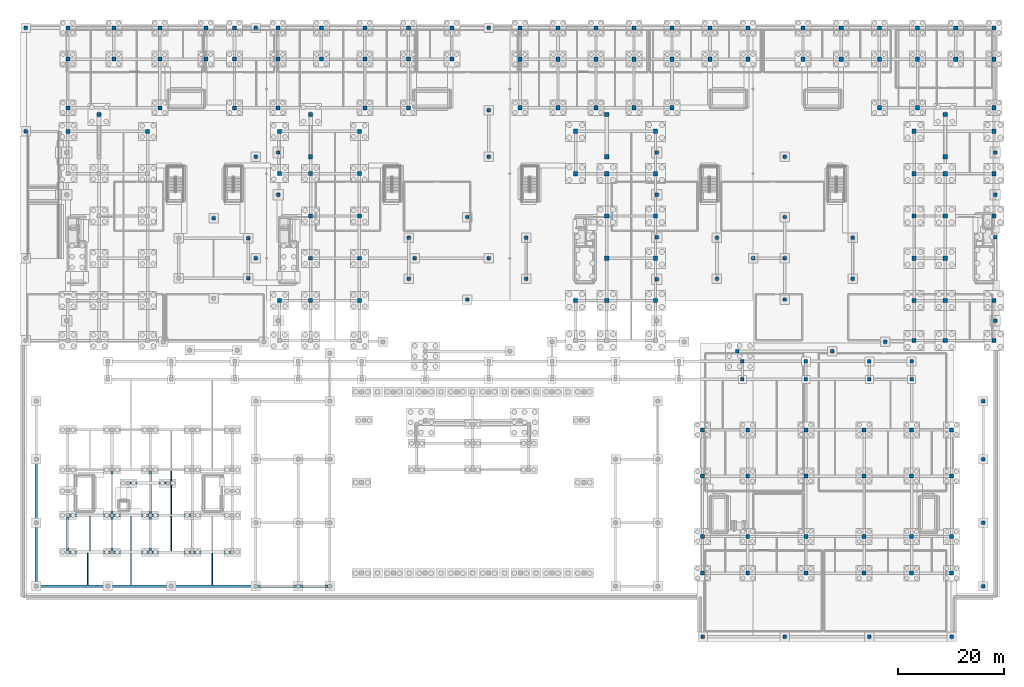
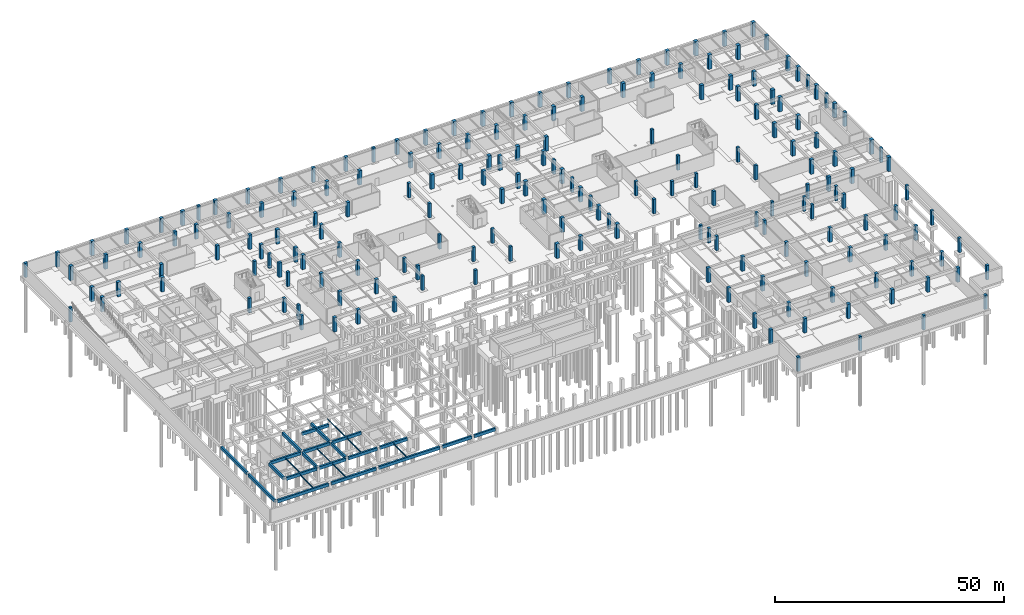
# One storey, part 13 of 35: 190 columns, 27 beams.
"""IFC4 building model written with IfcOpenShell, lengths in metres."""

from ifc_helpers import new_model, si_unit, direction, frame, origin, origin_2d, place, context, subcontext, project, spatial, rectangle, i_section, extrude, material, material_profile, profile_set, type_object, element, save


model = new_model("IFC4")

# Units and contexts
model_context = context("Model", 3, precision=1e-05, world=origin(), true_north=direction((0.0, 1.0)))
body_context = subcontext(model_context, "Body", "Model", "MODEL_VIEW")
ifc_project = project(units=[si_unit("LENGTHUNIT", "METRE"), si_unit("AREAUNIT", "SQUARE_METRE"), si_unit("VOLUMEUNIT", "CUBIC_METRE"), si_unit("PLANEANGLEUNIT", "RADIAN"), si_unit("MASSUNIT", "GRAM", prefix="KILO")], contexts=[model_context])

# Site, building, storey
site_placement = place(None, origin())
site = spatial("IfcSite", under=ifc_project, at=site_placement, CompositionType="ELEMENT")
building_placement = place(site_placement, origin())
building = spatial("IfcBuilding", under=site, at=building_placement, Name="Keldmere Railside Commons", CompositionType="ELEMENT")
storey_placement = place(building_placement, frame((0.0, 0.0, -3.840087890625)))
storey = spatial("IfcBuildingStorey", under=building, at=storey_placement, Name="B1", CompositionType="ELEMENT", Elevation=-3.840087890625)

# Columns
ifc_material_1 = material(Name="Concrete H-40 (C40/50)", Category="concrete")
ifc_material_profile_1 = material_profile(ifc_material_1, rectangle(XDim=0.75, YDim=0.75, at=origin_2d()), Name="RC-750x750")
ifc_profile_set_1 = profile_set([ifc_material_profile_1], Name="Concrete H-40 (C40/50)")
column_type_1 = type_object("IfcColumnType", Name="Basement RC Column 750x750", PredefinedType="COLUMN", material=ifc_profile_set_1)
for number, where, z_axis, x_axis, name in (
    (1, (8.449951171875, 96.0, 0.0), (0.0, 0.0, 1.0), (1.0, 0.0, 0.0), "C-750 COL-B1-0062"),
    (2, (8.449951171875, 100.449951171875, 0.0), (0.0, 0.0, 1.0), (1.0, 0.0, 0.0), "C-750 COL-B1-0071"),
    (3, (8.449951171875, 109.64990234375, 0.0), (0.0, 0.0, 1.0), (1.0, 0.0, 0.0), "C-750 COL-B1-0081"),
    (4, (8.449951171875, 115.550048828125, 0.0), (0.0, 0.0, 1.0), (1.0, 0.0, 0.0), "C-750 COL-B1-0090"),
    (5, (17.14990234375, 109.64990234375, 0.0), (0.0, 0.0, 1.0), (1.0, 0.0, 0.0), "C-750 COL-B1-0165"),
    (6, (17.14990234375, 115.550048828125, 0.0), (0.0, 0.0, 1.0), (1.0, 0.0, 0.0), "C-750 COL-B1-0174"),
    (7, (23.550048828125, 96.0, 0.0), (0.0, 0.0, 1.0), (1.0, 0.0, 0.0), "C-750 COL-B1-0225"),
    (8, (25.85009765625, 100.449951171875, 0.0), (0.0, 0.0, 1.0), (1.0, 0.0, 0.0), "C-750 COL-B1-0246"),
    (9, (25.85009765625, 109.64990234375, 0.0), (0.0, 0.0, 1.0), (1.0, 0.0, 0.0), "C-750 COL-B1-0256"),
    (10, (25.85009765625, 115.550048828125, 0.0), (0.0, 0.0, 1.0), (1.0, 0.0, 0.0), "C-750 COL-B1-0265"),
    (11, (34.550048828125, 109.64990234375, 0.0), (0.0, 0.0, 1.0), (1.0, 0.0, 0.0), "C-750 COL-B1-0300"),
    (12, (34.550048828125, 115.550048828125, 0.0), (0.0, 0.0, 1.0), (1.0, 0.0, 0.0), "C-750 COL-B1-0309"),
    (13, (39.949951171875, 100.449951171875, 0.0), (0.0, 0.0, 1.0), (1.0, 0.0, 0.0), "C-750 COL-B1-0335"),
    (14, (39.949951171875, 109.64990234375, 0.0), (0.0, 0.0, 1.0), (1.0, 0.0, 0.0), "C-750 COL-B1-0347"),
    (15, (39.949951171875, 115.550048828125, 0.0), (0.0, 0.0, 1.0), (1.0, 0.0, 0.0), "C-750 COL-B1-0358"),
    (16, (48.169921875, 100.449951171875, 0.0), (0.0, 0.0, 1.0), (1.0, 0.0, 0.0), "C-750 COL-B1-0385"),
    (17, (48.169921875, 109.64990234375, 0.0), (0.0, 0.0, 1.0), (1.0, 0.0, 0.0), "C-750 COL-B1-0397"),
    (18, (48.169921875, 115.550048828125, 0.0), (0.0, 0.0, 1.0), (1.0, 0.0, 0.0), "C-750 COL-B1-0408"),
    (19, (48.449951171875, 64.0, 0.0), (0.0, 0.0, 1.0), (1.0, 0.0, 0.0), "C-750 COL-B1-0438"),
    (20, (48.449951171875, 88.0, 0.0), (0.0, 0.0, 1.0), (1.0, 0.0, 0.0), "C-750 COL-B1-0448"),
    (21, (48.449951171875, 96.0, 0.0), (0.0, 0.0, 1.0), (1.0, 0.0, 0.0), "C-750 COL-B1-0459"),
    (22, (54.35009765625, 64.0, 0.0), (0.0, 0.0, 1.0), (1.0, 0.0, 0.0), "C-750 COL-B1-0484"),
    (23, (54.35009765625, 72.0, 0.0), (0.0, 0.0, 1.0), (1.0, 0.0, 0.0), "C-750 COL-B1-0494"),
    (24, (54.35009765625, 80.0, 0.0), (0.0, 0.0, 1.0), (1.0, 0.0, 0.0), "C-750 COL-B1-0505"),
    (25, (54.35009765625, 88.0, 0.0), (0.0, 0.0, 1.0), (1.0, 0.0, 0.0), "C-750 COL-B1-0516"),
    (26, (56.389892578125, 109.64990234375, 0.0), (0.0, 0.0, 1.0), (1.0, 0.0, 0.0), "C-750 COL-B1-0539"),
    (27, (56.389892578125, 115.550048828125, 0.0), (0.0, 0.0, 1.0), (1.0, 0.0, 0.0), "C-750 COL-B1-0550"),
    (28, (63.550048828125, 64.0, 0.0), (0.0, 0.0, 1.0), (1.0, 0.0, 0.0), "C-750 COL-B1-0570"),
    (29, (63.550048828125, 72.0, 0.0), (0.0, 0.0, 1.0), (1.0, 0.0, 0.0), "C-750 COL-B1-0580"),
    (30, (63.550048828125, 80.0, 0.0), (0.0, 0.0, 1.0), (1.0, 0.0, 0.0), "C-750 COL-B1-0591"),
    (31, (63.550048828125, 88.0, 0.0), (0.0, 0.0, 1.0), (1.0, 0.0, 0.0), "C-750 COL-B1-0602"),
    (32, (63.550048828125, 96.0, 0.0), (0.0, 0.0, 1.0), (1.0, 0.0, 0.0), "C-750 COL-B1-0613"),
    (33, (64.610107421875, 100.449951171875, 0.0), (0.0, 0.0, 1.0), (1.0, 0.0, 0.0), "C-750 COL-B1-0639"),
    (34, (64.610107421875, 109.64990234375, 0.0), (0.0, 0.0, 1.0), (1.0, 0.0, 0.0), "C-750 COL-B1-0651"),
    (35, (64.610107421875, 115.550048828125, 0.0), (0.0, 0.0, 1.0), (1.0, 0.0, 0.0), "C-750 COL-B1-0662"),
    (36, (72.830078125, 100.449951171875, 0.0), (0.0, 0.0, 1.0), (1.0, 0.0, 0.0), "C-750 COL-B1-0684"),
    (37, (72.830078125, 109.64990234375, 0.0), (0.0, 0.0, 1.0), (1.0, 0.0, 0.0), "C-750 COL-B1-0696"),
    (38, (72.830078125, 115.550048828125, 0.0), (0.0, 0.0, 1.0), (1.0, 0.0, 0.0), "C-750 COL-B1-0707"),
    (39, (81.050048828125, 109.64990234375, 0.0), (0.0, 0.0, 1.0), (1.0, 0.0, 0.0), "C-750 COL-B1-0749"),
    (40, (81.050048828125, 115.550048828125, 0.0), (0.0, 0.0, 1.0), (1.0, 0.0, 0.0), "C-750 COL-B1-0760"),
    (41, (128.449951171875, 12.449951171875, 0.0), (0.0, 0.0, 1.0), (1.0, 0.0, 0.0), "C-750 COL-B1-1276"),
    (42, (128.449951171875, 19.39990234375, 0.0), (0.0, 0.0, 1.0), (1.0, 0.0, 0.0), "C-750 COL-B1-1280"),
    (43, (128.449951171875, 30.800048828125, 0.0), (0.0, 0.0, 1.0), (1.0, 0.0, 0.0), "C-750 COL-B1-1284"),
    (44, (128.449951171875, 39.550048828125, 0.0), (0.0, 0.0, 1.0), (1.0, 0.0, 0.0), "C-750 COL-B1-1288"),
    (45, (137.0, 12.449951171875, 0.0), (0.0, 0.0, 1.0), (1.0, 0.0, 0.0), "C-750 COL-B1-1324"),
    (46, (137.0, 19.39990234375, 0.0), (0.0, 0.0, 1.0), (1.0, 0.0, 0.0), "C-750 COL-B1-1328"),
    (47, (137.0, 30.800048828125, 0.0), (0.0, 0.0, 1.0), (1.0, 0.0, 0.0), "C-750 COL-B1-1333"),
    (48, (137.0, 39.550048828125, 0.0), (0.0, 0.0, 1.0), (1.0, 0.0, 0.0), "C-750 COL-B1-1338"),
    (49, (148.0, 12.449951171875, 0.0), (0.0, 0.0, 1.0), (1.0, 0.0, 0.0), "C-750 COL-B1-1398"),
    (50, (148.0, 19.39990234375, 0.0), (0.0, 0.0, 1.0), (1.0, 0.0, 0.0), "C-750 COL-B1-1402"),
    (51, (148.0, 30.800048828125, 0.0), (0.0, 0.0, 1.0), (1.0, 0.0, 0.0), "C-750 COL-B1-1407"),
    (52, (148.0, 39.550048828125, 0.0), (0.0, 0.0, 1.0), (1.0, 0.0, 0.0), "C-750 COL-B1-1412"),
    (53, (159.0, 12.449951171875, 0.0), (0.0, 0.0, 1.0), (1.0, 0.0, 0.0), "C-750 COL-B1-1454"),
    (54, (159.0, 19.39990234375, 0.0), (0.0, 0.0, 1.0), (1.0, 0.0, 0.0), "C-750 COL-B1-1458"),
    (55, (159.0, 30.800048828125, 0.0), (0.0, 0.0, 1.0), (1.0, 0.0, 0.0), "C-750 COL-B1-1463"),
    (56, (159.0, 39.550048828125, 0.0), (0.0, 0.0, 1.0), (1.0, 0.0, 0.0), "C-750 COL-B1-1468"),
    (57, (168.0, 12.449951171875, 0.0), (0.0, 0.0, 1.0), (1.0, 0.0, 0.0), "C-750 COL-B1-1521"),
    (58, (168.0, 19.39990234375, 0.0), (0.0, 0.0, 1.0), (1.0, 0.0, 0.0), "C-750 COL-B1-1525"),
    (59, (168.0, 30.800048828125, 0.0), (0.0, 0.0, 1.0), (1.0, 0.0, 0.0), "C-750 COL-B1-1530"),
    (60, (168.0, 39.550048828125, 0.0), (0.0, 0.0, 1.0), (1.0, 0.0, 0.0), "C-750 COL-B1-1535"),
    (61, (175.550048828125, 12.449951171875, 0.0), (0.0, 0.0, 1.0), (1.0, 0.0, 0.0), "C-750 COL-B1-1755"),
    (62, (175.550048828125, 19.39990234375, 0.0), (0.0, 0.0, 1.0), (1.0, 0.0, 0.0), "C-750 COL-B1-1759"),
    (63, (175.550048828125, 30.800048828125, 0.0), (0.0, 0.0, 1.0), (1.0, 0.0, 0.0), "C-750 COL-B1-1763"),
    (64, (175.550048828125, 39.550048828125, 0.0), (0.0, 0.0, 1.0), (1.0, 0.0, 0.0), "C-750 COL-B1-1767"),
):
    element("IfcColumn", number, at=place(storey_placement, frame(where, z_axis=z_axis, x_axis=x_axis)), inside=storey, type_object=column_type_1, Name=name, PredefinedType="COLUMN", context=body_context, shape_type="SweptSolid", body=[
        extrude(rectangle(XDim=0.75, YDim=0.75, at=origin_2d()), origin(), (0.0, 0.0, 1.0), 3.840087890625),
    ])
ifc_material_profile_2 = material_profile(ifc_material_1, rectangle(XDim=0.800048828125, YDim=0.800048828125, at=origin_2d()), Name="RC-800x800")
ifc_profile_set_2 = profile_set([ifc_material_profile_2], Name="Concrete H-40 (C40/50)")
column_type_2 = type_object("IfcColumnType", Name="Lower Transfer RC Column 800x800", PredefinedType="COLUMN", material=ifc_profile_set_2)
for number, where, z_axis, x_axis, name in (
    (65, (14.35009765625, 99.199951171875, 0.0), (0.0, 0.0, 1.0), (1.0, 0.0, 0.0), "C-800 COL-B1-0147"),
    (66, (54.35009765625, 91.199951171875, 0.0), (0.0, 0.0, 1.0), (1.0, 0.0, 0.0), "C-800 COL-B1-0527"),
    (67, (54.35009765625, 99.199951171875, 0.0), (0.0, 0.0, 1.0), (1.0, 0.0, 0.0), "C-800 COL-B1-0538"),
    (68, (93.949951171875, 100.449951171875, 0.0), (0.0, 0.0, 1.0), (1.0, 0.0, 0.0), "C-800 COL-B1-0809"),
    (69, (93.949951171875, 109.64990234375, 0.0), (0.0, 0.0, 1.0), (1.0, 0.0, 0.0), "C-800 COL-B1-0823"),
    (70, (93.949951171875, 115.550048828125, 0.0), (0.0, 0.0, 1.0), (1.0, 0.0, 0.0), "C-800 COL-B1-0836"),
    (71, (101.133056640625, 100.449951171875, 0.0), (0.0, 0.0, 1.0), (1.0, 0.0, 0.0), "C-800 COL-B1-0878"),
    (72, (101.133056640625, 109.64990234375, 0.0), (0.0, 0.0, 1.0), (1.0, 0.0, 0.0), "C-800 COL-B1-0892"),
    (73, (101.133056640625, 115.550048828125, 0.0), (0.0, 0.0, 1.0), (1.0, 0.0, 0.0), "C-800 COL-B1-0905"),
    (74, (104.449951171875, 64.0, 0.0), (0.0, 0.0, 1.0), (1.0, 0.0, 0.0), "C-800 COL-B1-0929"),
    (75, (104.449951171875, 88.0, 0.0), (0.0, 0.0, 1.0), (1.0, 0.0, 0.0), "C-800 COL-B1-0941"),
    (76, (104.449951171875, 96.0, 0.0), (0.0, 0.0, 1.0), (1.0, 0.0, 0.0), "C-800 COL-B1-0954"),
    (77, (108.31689453125, 100.449951171875, 0.0), (0.0, 0.0, 1.0), (1.0, 0.0, 0.0), "C-800 COL-B1-0978"),
    (78, (108.31689453125, 109.64990234375, 0.0), (0.0, 0.0, 1.0), (1.0, 0.0, 0.0), "C-800 COL-B1-0992"),
    (79, (108.31689453125, 115.550048828125, 0.0), (0.0, 0.0, 1.0), (1.0, 0.0, 0.0), "C-800 COL-B1-1005"),
    (80, (110.35009765625, 64.0, 0.0), (0.0, 0.0, 1.0), (1.0, 0.0, 0.0), "C-800 COL-B1-1023"),
    (81, (110.35009765625, 72.0, 0.0), (0.0, 0.0, 1.0), (1.0, 0.0, 0.0), "C-800 COL-B1-1035"),
    (82, (110.35009765625, 80.0, 0.0), (0.0, 0.0, 1.0), (1.0, 0.0, 0.0), "C-800 COL-B1-1048"),
    (83, (110.35009765625, 88.0, 0.0), (0.0, 0.0, 1.0), (1.0, 0.0, 0.0), "C-800 COL-B1-1061"),
    (84, (110.35009765625, 91.199951171875, 0.0), (0.0, 0.0, 1.0), (1.0, 0.0, 0.0), "C-800 COL-B1-1074"),
    (85, (110.35009765625, 99.199951171875, 0.0), (0.0, 0.0, 1.0), (1.0, 0.0, 0.0), "C-800 COL-B1-1087"),
    (86, (115.5, 100.449951171875, 0.0), (0.0, 0.0, 1.0), (1.0, 0.0, 0.0), "C-800 COL-B1-1095"),
    (87, (115.5, 109.64990234375, 0.0), (0.0, 0.0, 1.0), (1.0, 0.0, 0.0), "C-800 COL-B1-1109"),
    (88, (115.5, 115.550048828125, 0.0), (0.0, 0.0, 1.0), (1.0, 0.0, 0.0), "C-800 COL-B1-1122"),
    (89, (119.550048828125, 64.0, 0.0), (0.0, 0.0, 1.0), (1.0, 0.0, 0.0), "C-800 COL-B1-1140"),
    (90, (119.550048828125, 72.0, 0.0), (0.0, 0.0, 1.0), (1.0, 0.0, 0.0), "C-800 COL-B1-1152"),
    (91, (119.550048828125, 80.0, 0.0), (0.0, 0.0, 1.0), (1.0, 0.0, 0.0), "C-800 COL-B1-1165"),
    (92, (119.550048828125, 88.0, 0.0), (0.0, 0.0, 1.0), (1.0, 0.0, 0.0), "C-800 COL-B1-1178"),
    (93, (119.550048828125, 96.0, 0.0), (0.0, 0.0, 1.0), (1.0, 0.0, 0.0), "C-800 COL-B1-1191"),
    (94, (122.68310546875, 100.449951171875, 0.0), (0.0, 0.0, 1.0), (1.0, 0.0, 0.0), "C-800 COL-B1-1233"),
    (95, (122.68310546875, 109.64990234375, 0.0), (0.0, 0.0, 1.0), (1.0, 0.0, 0.0), "C-800 COL-B1-1247"),
    (96, (122.68310546875, 115.550048828125, 0.0), (0.0, 0.0, 1.0), (1.0, 0.0, 0.0), "C-800 COL-B1-1260"),
    (97, (129.866943359375, 109.64990234375, 0.0), (0.0, 0.0, 1.0), (1.0, 0.0, 0.0), "C-800 COL-B1-1292"),
    (98, (129.866943359375, 115.550048828125, 0.0), (0.0, 0.0, 1.0), (1.0, 0.0, 0.0), "C-800 COL-B1-1305"),
    (99, (137.050048828125, 109.64990234375, 0.0), (0.0, 0.0, 1.0), (1.0, 0.0, 0.0), "C-800 COL-B1-1342"),
    (100, (137.050048828125, 115.550048828125, 0.0), (0.0, 0.0, 1.0), (1.0, 0.0, 0.0), "C-800 COL-B1-1355"),
    (101, (147.449951171875, 109.64990234375, 0.0), (0.0, 0.0, 1.0), (1.0, 0.0, 0.0), "C-800 COL-B1-1372"),
    (102, (147.449951171875, 115.550048828125, 0.0), (0.0, 0.0, 1.0), (1.0, 0.0, 0.0), "C-800 COL-B1-1387"),
    (103, (154.669921875, 109.64990234375, 0.0), (0.0, 0.0, 1.0), (1.0, 0.0, 0.0), "C-800 COL-B1-1424"),
    (104, (154.669921875, 115.550048828125, 0.0), (0.0, 0.0, 1.0), (1.0, 0.0, 0.0), "C-800 COL-B1-1439"),
    (105, (161.889892578125, 100.449951171875, 0.0), (0.0, 0.0, 1.0), (1.0, 0.0, 0.0), "C-800 COL-B1-1477"),
    (106, (161.889892578125, 109.64990234375, 0.0), (0.0, 0.0, 1.0), (1.0, 0.0, 0.0), "C-800 COL-B1-1493"),
    (107, (161.889892578125, 115.550048828125, 0.0), (0.0, 0.0, 1.0), (1.0, 0.0, 0.0), "C-800 COL-B1-1508"),
    (108, (168.449951171875, 56.449951171875, 0.0), (0.0, 0.0, 1.0), (1.0, 0.0, 0.0), "C-800 COL-B1-1543"),
    (109, (168.449951171875, 64.0, 0.0), (0.0, 0.0, 1.0), (1.0, 0.0, 0.0), "C-800 COL-B1-1553"),
    (110, (168.449951171875, 72.0, 0.0), (0.0, 0.0, 1.0), (1.0, 0.0, 0.0), "C-800 COL-B1-1567"),
    (111, (168.449951171875, 80.0, 0.0), (0.0, 0.0, 1.0), (1.0, 0.0, 0.0), "C-800 COL-B1-1582"),
    (112, (168.449951171875, 88.0, 0.0), (0.0, 0.0, 1.0), (1.0, 0.0, 0.0), "C-800 COL-B1-1597"),
    (113, (168.449951171875, 96.0, 0.0), (0.0, 0.0, 1.0), (1.0, 0.0, 0.0), "C-800 COL-B1-1612"),
    (114, (169.110107421875, 100.449951171875, 0.0), (0.0, 0.0, 1.0), (1.0, 0.0, 0.0), "C-800 COL-B1-1627"),
    (115, (169.110107421875, 109.64990234375, 0.0), (0.0, 0.0, 1.0), (1.0, 0.0, 0.0), "C-800 COL-B1-1643"),
    (116, (169.110107421875, 115.550048828125, 0.0), (0.0, 0.0, 1.0), (1.0, 0.0, 0.0), "C-800 COL-B1-1658"),
    (117, (174.35009765625, 56.449951171875, 0.0), (0.0, 0.0, 1.0), (1.0, 0.0, 0.0), "C-800 COL-B1-1669"),
    (118, (174.35009765625, 64.0, 0.0), (0.0, 0.0, 1.0), (1.0, 0.0, 0.0), "C-800 COL-B1-1679"),
    (119, (174.35009765625, 72.0, 0.0), (0.0, 0.0, 1.0), (1.0, 0.0, 0.0), "C-800 COL-B1-1693"),
    (120, (174.35009765625, 80.0, 0.0), (0.0, 0.0, 1.0), (1.0, 0.0, 0.0), "C-800 COL-B1-1708"),
    (121, (174.35009765625, 88.0, 0.0), (0.0, 0.0, 1.0), (1.0, 0.0, 0.0), "C-800 COL-B1-1723"),
    (122, (174.35009765625, 91.199951171875, 0.0), (0.0, 0.0, 1.0), (1.0, 0.0, 0.0), "C-800 COL-B1-1738"),
    (123, (174.35009765625, 99.199951171875, 0.0), (0.0, 0.0, 1.0), (1.0, 0.0, 0.0), "C-800 COL-B1-1753"),
    (124, (176.330078125, 109.64990234375, 0.0), (0.0, 0.0, 1.0), (1.0, 0.0, 0.0), "C-800 COL-B1-1771"),
    (125, (176.330078125, 115.550048828125, 0.0), (0.0, 0.0, 1.0), (1.0, 0.0, 0.0), "C-800 COL-B1-1786"),
    (126, (183.550048828125, 56.449951171875, 0.0), (0.0, 0.0, 1.0), (1.0, 0.0, 0.0), "C-800 COL-B1-1801"),
    (127, (183.550048828125, 64.0, 0.0), (0.0, 0.0, 1.0), (1.0, 0.0, 0.0), "C-800 COL-B1-1811"),
    (128, (183.550048828125, 80.0, 0.0), (0.0, 0.0, 1.0), (1.0, 0.0, 0.0), "C-800 COL-B1-1825"),
    (129, (183.550048828125, 88.0, 0.0), (0.0, 0.0, 1.0), (1.0, 0.0, 0.0), "C-800 COL-B1-1840"),
    (130, (183.550048828125, 96.0, 0.0), (0.0, 0.0, 1.0), (1.0, 0.0, 0.0), "C-800 COL-B1-1855"),
    (131, (183.550048828125, 100.449951171875, 0.0), (0.0, 0.0, 1.0), (1.0, 0.0, 0.0), "C-800 COL-B1-1870"),
    (132, (183.550048828125, 109.64990234375, 0.0), (0.0, 0.0, 1.0), (1.0, 0.0, 0.0), "C-800 COL-B1-1886"),
    (133, (183.550048828125, 115.550048828125, 0.0), (0.0, 0.0, 1.0), (1.0, 0.0, 0.0), "C-800 COL-B1-1901"),
):
    element("IfcColumn", number, at=place(storey_placement, frame(where, z_axis=z_axis, x_axis=x_axis)), inside=storey, type_object=column_type_2, Name=name, PredefinedType="COLUMN", context=body_context, shape_type="SweptSolid", body=[
        extrude(rectangle(XDim=0.800048828125, YDim=0.800048828125, at=origin_2d()), origin(), (0.0, 0.0, 1.0), 3.840087890625),
    ])
ifc_material_profile_3 = material_profile(ifc_material_1, rectangle(XDim=0.64990234375, YDim=0.64990234375, at=origin_2d()), Name="RC-650x650")
ifc_profile_set_3 = profile_set([ifc_material_profile_3], Name="Concrete H-40 (C40/50)")
column_type_3 = type_object("IfcColumnType", Name="Podium RC Column 650x650", PredefinedType="COLUMN", material=ifc_profile_set_3)
for number, where, z_axis, x_axis, name in (
    (134, (0.449951171875, 96.0, 0.0), (0.0, 0.0, 1.0), (1.0, 0.0, 0.0), "C-650 COL-B1-0003"),
    (135, (0.449951171875, 115.550048828125, 0.0), (0.0, 0.0, 1.0), (1.0, 0.0, 0.0), "C-650 COL-B1-0004"),
    (136, (36.0, 79.60009765625, 0.0), (0.0, 0.0, 1.0), (1.0, 0.0, 0.0), "C-650 COL-B1-0318"),
    (137, (42.58203125, 68.199951171875, 0.0), (0.0, 0.0, 1.0), (1.0, 0.0, 0.0), "C-650 COL-B1-0372"),
    (138, (42.58203125, 75.800048828125, 0.0), (0.0, 0.0, 1.0), (1.0, 0.0, 0.0), "C-650 COL-B1-0374"),
    (139, (44.0, 72.0, 0.0), (0.0, 0.0, 1.0), (1.0, 0.0, 0.0), "C-650 COL-B1-0380"),
    (140, (44.0, 91.199951171875, 0.0), (0.0, 0.0, 1.0), (1.0, 0.0, 0.0), "C-650 COL-B1-0381"),
    (141, (44.0, 115.550048828125, 0.0), (0.0, 0.0, 1.0), (1.0, 0.0, 0.0), "C-650 COL-B1-0382"),
    (142, (48.219970703125, 84.0, 0.0), (0.0, 0.0, 1.0), (1.0, 0.0, 0.0), "C-650 COL-B1-0421"),
    (143, (48.219970703125, 92.0, 0.0), (0.0, 0.0, 1.0), (1.0, 0.0, 0.0), "C-650 COL-B1-0426"),
    (144, (72.9150390625, 68.10009765625, 0.0), (0.0, 0.0, 1.0), (1.0, 0.0, 0.0), "C-650 COL-B1-0715"),
    (145, (72.9150390625, 75.89990234375, 0.0), (0.0, 0.0, 1.0), (1.0, 0.0, 0.0), "C-650 COL-B1-0717"),
    (146, (74.0, 72.0, 0.0), (0.0, 0.0, 1.0), (1.0, 0.0, 0.0), "C-650 COL-B1-0725"),
    (147, (84.0, 64.199951171875, 0.0), (0.0, 0.0, 1.0), (1.0, 0.0, 0.0), "C-650 COL-B1-0774"),
    (148, (84.0, 79.800048828125, 0.0), (0.0, 0.0, 1.0), (1.0, 0.0, 0.0), "C-650 COL-B1-0776"),
    (149, (88.0, 72.0, 0.0), (0.0, 0.0, 1.0), (1.0, 0.0, 0.0), "C-650 COL-B1-0797"),
    (150, (88.0, 91.199951171875, 0.0), (0.0, 0.0, 1.0), (1.0, 0.0, 0.0), "C-650 COL-B1-0798"),
    (151, (88.0, 100.0, 0.0), (0.0, 0.0, 1.0), (1.0, 0.0, 0.0), "C-650 COL-B1-0799"),
    (152, (88.0, 115.550048828125, 0.0), (0.0, 0.0, 1.0), (1.0, 0.0, 0.0), "C-650 COL-B1-0800"),
    (153, (95.0849609375, 68.10009765625, 0.0), (0.0, 0.0, 1.0), (1.0, 0.0, 0.0), "C-650 COL-B1-0853"),
    (154, (95.0849609375, 75.89990234375, 0.0), (0.0, 0.0, 1.0), (1.0, 0.0, 0.0), "C-650 COL-B1-0855"),
    (155, (119.780029296875, 68.0, 0.0), (0.0, 0.0, 1.0), (1.0, 0.0, 0.0), "C-650 COL-B1-1209"),
    (156, (119.780029296875, 76.0, 0.0), (0.0, 0.0, 1.0), (1.0, 0.0, 0.0), "C-650 COL-B1-1214"),
    (157, (119.780029296875, 84.0, 0.0), (0.0, 0.0, 1.0), (1.0, 0.0, 0.0), "C-650 COL-B1-1219"),
    (158, (119.780029296875, 92.0, 0.0), (0.0, 0.0, 1.0), (1.0, 0.0, 0.0), "C-650 COL-B1-1224"),
    (159, (128.449951171875, 0.449951171875, 0.0), (0.0, 0.0, 1.0), (1.0, 0.0, 0.0), "C-650 COL-B1-1275"),
    (160, (131.18310546875, 68.10009765625, 0.0), (0.0, 0.0, 1.0), (1.0, 0.0, 0.0), "C-650 COL-B1-1314"),
    (161, (131.18310546875, 75.89990234375, 0.0), (0.0, 0.0, 1.0), (1.0, 0.0, 0.0), "C-650 COL-B1-1316"),
    (162, (135.0, 54.39990234375, 0.0), (0.0, 0.0, 1.0), (1.0, 0.0, 0.0), "C-650 COL-B1-1318"),
    (163, (136.0, 49.10009765625, 0.0), (0.0, 0.0, 1.0), (1.0, 0.0, 0.0), "C-650 COL-B1-1320"),
    (164, (136.0, 52.5, 0.0), (0.0, 0.0, 1.0), (1.0, 0.0, 0.0), "C-650 COL-B1-1322"),
    (165, (138.0, 72.0, 0.0), (0.0, 0.0, 1.0), (1.0, 0.0, 0.0), "C-650 COL-B1-1364"),
    (166, (144.0, 0.449951171875, 0.0), (0.0, 0.0, 1.0), (1.0, 0.0, 0.0), "C-650 COL-B1-1365"),
    (167, (144.0, 64.199951171875, 0.0), (0.0, 0.0, 1.0), (1.0, 0.0, 0.0), "C-650 COL-B1-1366"),
    (168, (144.0, 72.0, 0.0), (0.0, 0.0, 1.0), (1.0, 0.0, 0.0), "C-650 COL-B1-1368"),
    (169, (144.0, 79.800048828125, 0.0), (0.0, 0.0, 1.0), (1.0, 0.0, 0.0), "C-650 COL-B1-1369"),
    (170, (144.0, 91.199951171875, 0.0), (0.0, 0.0, 1.0), (1.0, 0.0, 0.0), "C-650 COL-B1-1371"),
    (171, (148.0, 49.10009765625, 0.0), (0.0, 0.0, 1.0), (1.0, 0.0, 0.0), "C-650 COL-B1-1416"),
    (172, (148.0, 52.5, 0.0), (0.0, 0.0, 1.0), (1.0, 0.0, 0.0), "C-650 COL-B1-1418"),
    (173, (153.0, 54.39990234375, 0.0), (0.0, 0.0, 1.0), (1.0, 0.0, 0.0), "C-650 COL-B1-1420"),
    (174, (156.81689453125, 68.10009765625, 0.0), (0.0, 0.0, 1.0), (1.0, 0.0, 0.0), "C-650 COL-B1-1450"),
    (175, (156.81689453125, 75.89990234375, 0.0), (0.0, 0.0, 1.0), (1.0, 0.0, 0.0), "C-650 COL-B1-1452"),
    (176, (160.0, 0.449951171875, 0.0), (0.0, 0.0, 1.0), (1.0, 0.0, 0.0), "C-650 COL-B1-1472"),
    (177, (160.0, 49.10009765625, 0.0), (0.0, 0.0, 1.0), (1.0, 0.0, 0.0), "C-650 COL-B1-1473"),
    (178, (160.0, 52.5, 0.0), (0.0, 0.0, 1.0), (1.0, 0.0, 0.0), "C-650 COL-B1-1475"),
    (179, (163.0, 56.199951171875, 0.0), (0.0, 0.0, 1.0), (1.0, 0.0, 0.0), "C-650 COL-B1-1519"),
    (180, (168.0, 49.10009765625, 0.0), (0.0, 0.0, 1.0), (1.0, 0.0, 0.0), "C-650 COL-B1-1539"),
    (181, (168.0, 52.5, 0.0), (0.0, 0.0, 1.0), (1.0, 0.0, 0.0), "C-650 COL-B1-1541"),
    (182, (175.550048828125, 0.449951171875, 0.0), (0.0, 0.0, 1.0), (1.0, 0.0, 0.0), "C-650 COL-B1-1754"),
    (183, (181.5, 10.0, 0.0), (0.0, 0.0, 1.0), (1.0, 0.0, 0.0), "C-650 COL-B1-1797"),
    (184, (181.5, 22.0, 0.0), (0.0, 0.0, 1.0), (1.0, 0.0, 0.0), "C-650 COL-B1-1798"),
    (185, (181.5, 34.0, 0.0), (0.0, 0.0, 1.0), (1.0, 0.0, 0.0), "C-650 COL-B1-1799"),
    (186, (181.5, 45.0, 0.0), (0.0, 0.0, 1.0), (1.0, 0.0, 0.0), "C-650 COL-B1-1800"),
    (187, (183.780029296875, 60.199951171875, 0.0), (0.0, 0.0, 1.0), (1.0, 0.0, 0.0), "C-650 COL-B1-1912"),
    (188, (183.780029296875, 76.0, 0.0), (0.0, 0.0, 1.0), (1.0, 0.0, 0.0), "C-650 COL-B1-1917"),
    (189, (183.780029296875, 84.0, 0.0), (0.0, 0.0, 1.0), (1.0, 0.0, 0.0), "C-650 COL-B1-1922"),
    (190, (183.780029296875, 92.0, 0.0), (0.0, 0.0, 1.0), (1.0, 0.0, 0.0), "C-650 COL-B1-1927"),
):
    element("IfcColumn", number, at=place(storey_placement, frame(where, z_axis=z_axis, x_axis=x_axis)), inside=storey, type_object=column_type_3, Name=name, PredefinedType="COLUMN", context=body_context, shape_type="SweptSolid", body=[
        extrude(rectangle(XDim=0.64990234375, YDim=0.64990234375, at=origin_2d()), origin(), (0.0, 0.0, 1.0), 3.840087890625),
    ])

# Beams
ifc_material_2 = material(Name="Concrete H-35 (C35/45)", Category="concrete")
ifc_material_profile_4 = material_profile(ifc_material_2, rectangle(XDim=0.449951171875, YDim=0.800048828125, at=origin_2d()), Name="RC-450x800")
ifc_profile_set_4 = profile_set([ifc_material_profile_4], Name="Concrete H-35 (C35/45)")
beam_type_1 = type_object("IfcBeamType", Name="Basement & Podium RC Girder 450x800", PredefinedType="BEAM", material=ifc_profile_set_4)
beam_1_placement = place(storey_placement, frame((2.824951171875, 10.0, 3.440185546875), z_axis=(1.0, 0.0, 0.0), x_axis=(0.0, 1.0, 0.0)))
element("IfcBeam", 191, at=beam_1_placement, inside=storey, type_object=beam_type_1, Name="BG-1 BM-B1-0009", PredefinedType="BEAM", context=body_context, shape_type="SweptSolid", body=[
    extrude(rectangle(XDim=0.449951171875, YDim=0.800048828125, at=origin_2d()), origin(), (0.0, 0.0, 1.0), 12.85009765625),
])
beam_2_placement = place(storey_placement, frame((16.324951171875, 10.0, 3.440185546875), z_axis=(1.0, 0.0, 0.0), x_axis=(0.0, 1.0, 0.0)))
element("IfcBeam", 192, at=beam_2_placement, inside=storey, type_object=beam_type_1, Name="BG-1 BM-B1-0010", PredefinedType="BEAM", context=body_context, shape_type="SweptSolid", body=[
    extrude(rectangle(XDim=0.449951171875, YDim=0.800048828125, at=origin_2d()), origin(), (0.0, 0.0, 1.0), 11.35009765625),
])
beam_3_placement = place(storey_placement, frame((28.324951171875, 10.0, 3.440185546875), z_axis=(1.0, 0.0, 0.0), x_axis=(0.0, 1.0, 0.0)))
element("IfcBeam", 193, at=beam_3_placement, inside=storey, type_object=beam_type_1, Name="BG-1 BM-B1-0011", PredefinedType="BEAM", context=body_context, shape_type="SweptSolid", body=[
    extrude(rectangle(XDim=0.449951171875, YDim=0.800048828125, at=origin_2d()), origin(), (0.0, 0.0, 1.0), 15.35009765625),
])
beam_4_placement = place(storey_placement, frame((44.324951171875, 10.0, 3.440185546875), z_axis=(1.0, 0.0, 0.0), x_axis=(0.0, 1.0, 0.0)))
element("IfcBeam", 194, at=beam_4_placement, inside=storey, type_object=beam_type_1, Name="BG-1 BM-B1-0012", PredefinedType="BEAM", context=body_context, shape_type="SweptSolid", body=[
    extrude(rectangle(XDim=0.449951171875, YDim=0.800048828125, at=origin_2d()), origin(), (0.0, 0.0, 1.0), 7.35009765625),
])
beam_5_placement = place(storey_placement, frame((52.324951171875, 10.0, 3.440185546875), z_axis=(1.0, 0.0, 0.0), x_axis=(0.0, 1.0, 0.0)))
element("IfcBeam", 195, at=beam_5_placement, inside=storey, type_object=beam_type_1, Name="BG-1 BM-B1-0013", PredefinedType="BEAM", context=body_context, shape_type="SweptSolid", body=[
    extrude(rectangle(XDim=0.449951171875, YDim=0.800048828125, at=origin_2d()), origin(), (0.0, 0.0, 1.0), 5.35009765625),
])
beam_6_placement = place(storey_placement, frame((8.77490234375, 16.449951171875, 3.440185546875), z_axis=(1.0, 0.0, 0.0), x_axis=(0.0, 1.0, 0.0)))
element("IfcBeam", 196, at=beam_6_placement, inside=storey, type_object=beam_type_1, Name="BG-1 BM-B1-0020", PredefinedType="BEAM", context=body_context, shape_type="SweptSolid", body=[
    extrude(rectangle(XDim=0.449951171875, YDim=0.800048828125, at=origin_2d()), origin(), (0.0, 0.0, 1.0), 7.7001953125),
])
beam_7_placement = place(storey_placement, frame((17.125, 16.449951171875, 3.440185546875), z_axis=(1.0, 0.0, 0.0), x_axis=(0.0, 1.0, 0.0)))
element("IfcBeam", 197, at=beam_7_placement, inside=storey, type_object=beam_type_1, Name="BG-1 BM-B1-0021", PredefinedType="BEAM", context=body_context, shape_type="SweptSolid", body=[
    extrude(rectangle(XDim=0.449951171875, YDim=0.800048828125, at=origin_2d()), origin(), (0.0, 0.0, 1.0), 6.550048828125),
])
beam_8_placement = place(storey_placement, frame((24.324951171875, 16.449951171875, 3.440185546875), z_axis=(1.0, 0.0, 0.0), x_axis=(0.0, 1.0, 0.0)))
element("IfcBeam", 198, at=beam_8_placement, inside=storey, type_object=beam_type_1, Name="BG-1 BM-B1-0022", PredefinedType="BEAM", context=body_context, shape_type="SweptSolid", body=[
    extrude(rectangle(XDim=0.449951171875, YDim=0.800048828125, at=origin_2d()), origin(), (0.0, 0.0, 1.0), 7.35009765625),
])
beam_9_placement = place(storey_placement, frame((32.324951171875, 16.449951171875, 3.440185546875), z_axis=(1.0, 0.0, 0.0), x_axis=(0.0, 1.0, 0.0)))
element("IfcBeam", 199, at=beam_9_placement, inside=storey, type_object=beam_type_1, Name="BG-1 BM-B1-0023", PredefinedType="BEAM", context=body_context, shape_type="SweptSolid", body=[
    extrude(rectangle(XDim=0.449951171875, YDim=0.800048828125, at=origin_2d()), origin(), (0.0, 0.0, 1.0), 6.900146484375),
])
beam_10_placement = place(storey_placement, frame((8.77490234375, 23.39990234375, 3.440185546875), z_axis=(1.0, 0.0, 0.0), x_axis=(0.0, 1.0, 0.0)))
element("IfcBeam", 200, at=beam_10_placement, inside=storey, type_object=beam_type_1, Name="BG-1 BM-B1-0032", PredefinedType="BEAM", context=body_context, shape_type="SweptSolid", body=[
    extrude(rectangle(XDim=0.449951171875, YDim=0.800048828125, at=origin_2d()), origin(), (0.0, 0.0, 1.0), 7.7001953125),
])
beam_11_placement = place(storey_placement, frame((17.125, 23.39990234375, 3.440185546875), z_axis=(1.0, 0.0, 0.0), x_axis=(0.0, 1.0, 0.0)))
element("IfcBeam", 201, at=beam_11_placement, inside=storey, type_object=beam_type_1, Name="BG-1 BM-B1-0033", PredefinedType="BEAM", context=body_context, shape_type="SweptSolid", body=[
    extrude(rectangle(XDim=0.449951171875, YDim=0.800048828125, at=origin_2d()), origin(), (0.0, 0.0, 1.0), 6.550048828125),
])
beam_12_placement = place(storey_placement, frame((24.324951171875, 23.39990234375, 3.440185546875), z_axis=(1.0, 0.0, 0.0), x_axis=(0.0, 1.0, 0.0)))
element("IfcBeam", 202, at=beam_12_placement, inside=storey, type_object=beam_type_1, Name="BG-1 BM-B1-0034", PredefinedType="BEAM", context=body_context, shape_type="SweptSolid", body=[
    extrude(rectangle(XDim=0.449951171875, YDim=0.800048828125, at=origin_2d()), origin(), (0.0, 0.0, 1.0), 7.35009765625),
])
beam_13_placement = place(storey_placement, frame((20.22509765625, 29.5, 3.440185546875), z_axis=(1.0, 0.0, 0.0), x_axis=(0.0, 1.0, 0.0)))
element("IfcBeam", 203, at=beam_13_placement, inside=storey, type_object=beam_type_1, Name="BG-1 BM-B1-0036", PredefinedType="BEAM", context=body_context, shape_type="SweptSolid", body=[
    extrude(rectangle(XDim=0.449951171875, YDim=0.800048828125, at=origin_2d()), origin(), (0.0, 0.0, 1.0), 6.75),
])
for number, where, z_axis, x_axis, name in (
    (204, (2.5, 10.324951171875, 3.440185546875), (0.0, 1.0, 0.0), (-1.0, 0.0, 0.0), "BG-1 BM-B1-0182"),
    (205, (2.5, 22.324951171875, 3.440185546875), (0.0, 1.0, 0.0), (-1.0, 0.0, 0.0), "BG-1 BM-B1-0183"),
):
    element("IfcBeam", number, at=place(storey_placement, frame(where, z_axis=z_axis, x_axis=x_axis)), inside=storey, type_object=beam_type_1, Name=name, PredefinedType="BEAM", context=body_context, shape_type="SweptSolid", body=[
        extrude(rectangle(XDim=0.449951171875, YDim=0.800048828125, at=origin_2d()), origin(), (0.0, 0.0, 1.0), 11.35009765625),
    ])
for number, where, z_axis, x_axis, name in (
    (206, (8.449951171875, 16.77490234375, 3.440185546875), (0.0, 1.0, 0.0), (-1.0, 0.0, 0.0), "BG-1 BM-B1-0185"),
    (207, (16.800048828125, 16.77490234375, 3.440185546875), (0.0, 1.0, 0.0), (-1.0, 0.0, 0.0), "BG-1 BM-B1-0198"),
):
    element("IfcBeam", number, at=place(storey_placement, frame(where, z_axis=z_axis, x_axis=x_axis)), inside=storey, type_object=beam_type_1, Name=name, PredefinedType="BEAM", context=body_context, shape_type="SweptSolid", body=[
        extrude(rectangle(XDim=0.449951171875, YDim=0.800048828125, at=origin_2d()), origin(), (0.0, 0.0, 1.0), 6.300048828125),
    ])
beam_14_placement = place(storey_placement, frame((16.800048828125, 23.72509765625, 3.440185546875), z_axis=(0.0, 1.0, 0.0), x_axis=(-1.0, 0.0, 0.0)))
element("IfcBeam", 208, at=beam_14_placement, inside=storey, type_object=beam_type_1, Name="BG-1 BM-B1-0199", PredefinedType="BEAM", context=body_context, shape_type="SweptSolid", body=[
    extrude(rectangle(XDim=0.449951171875, YDim=0.800048828125, at=origin_2d()), origin(), (0.0, 0.0, 1.0), 7.949951171875),
])
beam_15_placement = place(storey_placement, frame((24.0, 16.77490234375, 3.440185546875), z_axis=(0.0, 1.0, 0.0), x_axis=(-1.0, 0.0, 0.0)))
element("IfcBeam", 209, at=beam_15_placement, inside=storey, type_object=beam_type_1, Name="BG-1 BM-B1-0207", PredefinedType="BEAM", context=body_context, shape_type="SweptSolid", body=[
    extrude(rectangle(XDim=0.449951171875, YDim=0.800048828125, at=origin_2d()), origin(), (0.0, 0.0, 1.0), 6.300048828125),
])
beam_16_placement = place(storey_placement, frame((24.0, 23.72509765625, 3.440185546875), z_axis=(0.0, 1.0, 0.0), x_axis=(-1.0, 0.0, 0.0)))
element("IfcBeam", 210, at=beam_16_placement, inside=storey, type_object=beam_type_1, Name="BG-1 BM-B1-0208", PredefinedType="BEAM", context=body_context, shape_type="SweptSolid", body=[
    extrude(rectangle(XDim=0.449951171875, YDim=0.800048828125, at=origin_2d()), origin(), (0.0, 0.0, 1.0), 7.949951171875),
])
ifc_material_3 = material(Name="Steel F-36 (S355)", Category="steel")
ifc_material_profile_5 = material_profile(ifc_material_3, i_section(OverallWidth=0.14990234375, OverallDepth=0.300048828125, WebThickness=0.007080078125, FlangeThickness=0.0107421875, at=origin_2d()), Name="IPE-300")
ifc_profile_set_5 = profile_set([ifc_material_profile_5], Name="Steel F-36 (S355)")
beam_type_2 = type_object("IfcBeamType", Name="Podium & Arcade Steel Joist IPE300", PredefinedType="JOIST", material=ifc_profile_set_5)
for number, where, z_axis, x_axis, name in (
    (211, (12.22509765625, 10.22509765625, 3.3701171875), (0.0, 1.0, 0.0), (-1.0, 0.0, 0.0), "JST-1 BM-B1-0346"),
    (212, (20.39990234375, 10.22509765625, 3.3701171875), (0.0, 1.0, 0.0), (-1.0, 0.0, 0.0), "JST-1 BM-B1-0347"),
    (213, (35.77490234375, 10.22509765625, 3.3701171875), (0.0, 1.0, 0.0), (-1.0, 0.0, 0.0), "JST-1 BM-B1-0348"),
):
    element("IfcBeam", number, at=place(storey_placement, frame(where, z_axis=z_axis, x_axis=x_axis)), inside=storey, type_object=beam_type_2, Name=name, PredefinedType="JOIST", context=body_context, shape_type="SweptSolid", body=[
        extrude(i_section(OverallWidth=0.14990234375, OverallDepth=0.300048828125, WebThickness=0.007080078125, FlangeThickness=0.0107421875, at=origin_2d()), origin(), (0.0, 0.0, 1.0), 6.0),
    ])
for number, where, z_axis, x_axis, name in (
    (214, (12.625, 16.675048828125, 3.3701171875), (0.0, 1.0, 0.0), (-1.0, 0.0, 0.0), "JST-1 BM-B1-0354"),
    (215, (20.39990234375, 16.675048828125, 3.3701171875), (0.0, 1.0, 0.0), (-1.0, 0.0, 0.0), "JST-1 BM-B1-0355"),
    (216, (28.0, 16.675048828125, 3.3701171875), (0.0, 1.0, 0.0), (-1.0, 0.0, 0.0), "JST-1 BM-B1-0356"),
):
    element("IfcBeam", number, at=place(storey_placement, frame(where, z_axis=z_axis, x_axis=x_axis)), inside=storey, type_object=beam_type_2, Name=name, PredefinedType="JOIST", context=body_context, shape_type="SweptSolid", body=[
        extrude(i_section(OverallWidth=0.14990234375, OverallDepth=0.300048828125, WebThickness=0.007080078125, FlangeThickness=0.0107421875, at=origin_2d()), origin(), (0.0, 0.0, 1.0), 6.5),
    ])
beam_17_placement = place(storey_placement, frame((28.0, 23.625, 3.3701171875), z_axis=(0.0, 1.0, 0.0), x_axis=(-1.0, 0.0, 0.0)))
element("IfcBeam", 217, at=beam_17_placement, inside=storey, type_object=beam_type_2, Name="JST-1 BM-B1-0358", PredefinedType="JOIST", context=body_context, shape_type="SweptSolid", body=[
    extrude(i_section(OverallWidth=0.14990234375, OverallDepth=0.300048828125, WebThickness=0.007080078125, FlangeThickness=0.0107421875, at=origin_2d()), origin(), (0.0, 0.0, 1.0), 8.14990234375),
])

save(model, "model.ifc")
